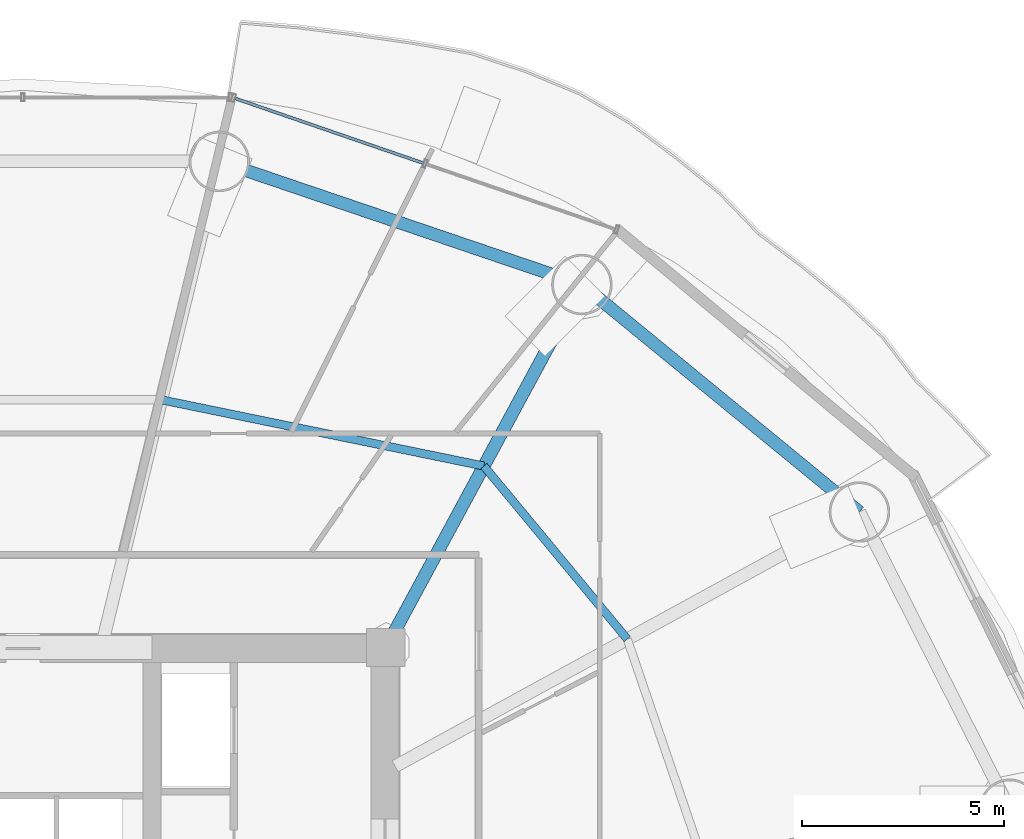
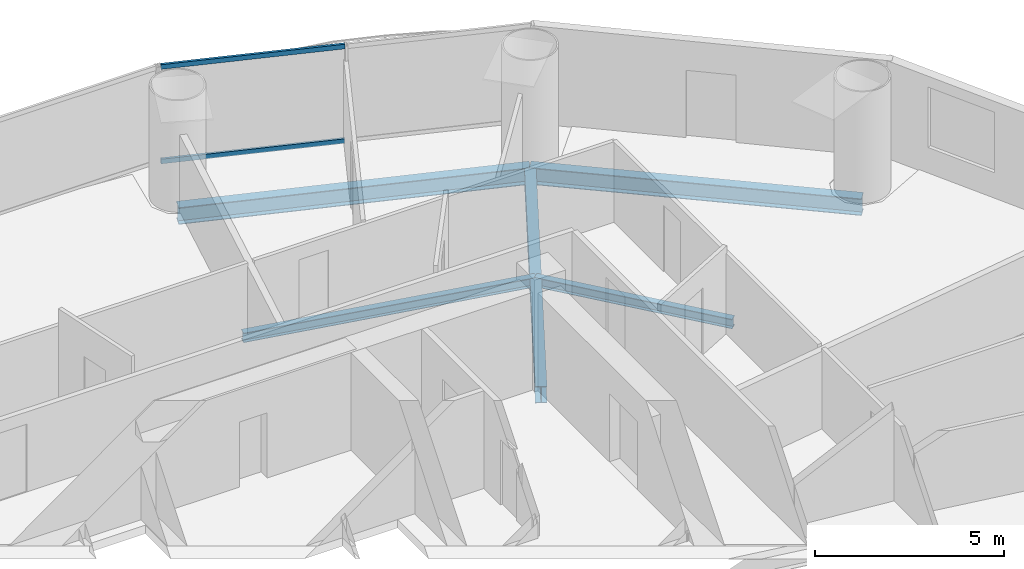
# One storey, part 19 of 29: 5 beams, 2 members, 1 element without a shape of its own.
"""IFC4 building model written with IfcOpenShell, lengths in metres."""

import ifcopenshell
import ifcopenshell.guid

model = None  # the IFC model being written
_history = None  # IfcOwnerHistory: only IFC2X3 demands one
_inside = {}  # id of a spatial element -> (the spatial element, [elements in it])
_under = {}  # id of a project, library or spatial element -> (it, [spatial elements below it])
_declared = {}  # id of a project -> (the project, [libraries it declares])
_typed = {}  # id of a type object -> (the type object, [elements of that type])
_made_of = {}  # id of a material, layer set ... -> (it, [elements and type objects made of it])


def new_model(schema):
    """Start an empty IFC model of exactly this schema.

    Asked for "IFC4X3", IfcOpenShell would pick the latest addendum, in which some entities
    have other attributes; the version numbers below select the first issue.
    IFC2X3 requires an IfcOwnerHistory on every rooted entity: one is made here for all.
    """
    global model, _history
    if schema == "IFC4X3":
        model = ifcopenshell.file(schema_version=(4, 3, 0, 0))
    else:
        model = ifcopenshell.file(schema=schema)
    _inside.clear()
    _under.clear()
    _declared.clear()
    _typed.clear()
    _made_of.clear()
    _history = None
    if model.schema == "IFC2X3":
        org = make("IfcOrganization", Name="unknown")
        user = make(
            "IfcPersonAndOrganization",
            ThePerson=make("IfcPerson", FamilyName="unknown"),
            TheOrganization=org,
        )
        app = make(
            "IfcApplication",
            ApplicationDeveloper=org,
            Version="unknown",
            ApplicationFullName="unknown",
            ApplicationIdentifier="unknown",
        )
        _history = make(
            "IfcOwnerHistory",
            OwningUser=user,
            OwningApplication=app,
            ChangeAction="ADDED",
            CreationDate=0,
        )
    return model


def make(cls, **values):
    """One entity of the class cls with the attributes given. An attribute that is None is left unset."""
    return model.create_entity(
        cls, **{name: value for name, value in values.items() if value is not None}
    )


def rooted(cls, **values):
    """An entity with a GlobalId (a new one), such as an element, a storey or a relation."""
    return make(cls, GlobalId=ifcopenshell.guid.new(), OwnerHistory=_history, **values)


def si_unit(unit_type, name, prefix=None):
    """IfcSIUnit, for example si_unit("LENGTHUNIT", "METRE", prefix="MILLI")."""
    return make("IfcSIUnit", UnitType=unit_type, Prefix=prefix, Name=name)


def assignment(units):
    """IfcUnitAssignment: the units of a project."""
    return None if units is None else make("IfcUnitAssignment", Units=units)


def point(xyz):
    """IfcCartesianPoint."""
    return None if xyz is None else make("IfcCartesianPoint", Coordinates=xyz)


def direction(xyz):
    """IfcDirection."""
    return None if xyz is None else make("IfcDirection", DirectionRatios=xyz)


def frame(location, z_axis=None, x_axis=None):
    """IfcAxis2Placement3D, a coordinate frame: its origin and axes. An axis left out is left unset."""
    return make(
        "IfcAxis2Placement3D",
        Location=point(location),
        Axis=direction(z_axis),
        RefDirection=direction(x_axis),
    )


def frame_2d(location, x_axis=None):
    """IfcAxis2Placement2D, a coordinate frame in the plane: its origin and x axis."""
    return make(
        "IfcAxis2Placement2D", Location=point(location), RefDirection=direction(x_axis)
    )


def origin():
    """The frame at (0, 0, 0) with its axes left unset."""
    return frame((0.0, 0.0, 0.0))


def origin_2d():
    """The frame at (0, 0) in the plane with its x axis left unset."""
    return frame_2d((0.0, 0.0))


def place(relative_to, where):
    """IfcLocalPlacement: puts the frame where relative to a parent placement (None: the world)."""
    return make(
        "IfcLocalPlacement", PlacementRelTo=relative_to, RelativePlacement=where
    )


def context(
    kind, dimensions, precision=None, world=None, true_north=None, identifier=None
):
    """IfcGeometricRepresentationContext, for example the 3D "Model" context."""
    return make(
        "IfcGeometricRepresentationContext",
        ContextIdentifier=identifier,
        ContextType=kind,
        CoordinateSpaceDimension=dimensions,
        Precision=precision,
        WorldCoordinateSystem=world,
        TrueNorth=true_north,
    )


def subcontext(parent, identifier, kind, view, scale=None):
    """IfcGeometricRepresentationSubContext, for example "Body" below "Model"."""
    return make(
        "IfcGeometricRepresentationSubContext",
        ContextIdentifier=identifier,
        ContextType=kind,
        ParentContext=parent,
        TargetScale=scale,
        TargetView=view,
    )


def project(units=None, contexts=None):
    """IfcProject with its units and contexts."""
    return rooted(
        "IfcProject",
        Name="project",
        RepresentationContexts=contexts,
        UnitsInContext=assignment(units),
    )


def spatial(cls, under=None, at=None, **own):
    """A site, building, storey or space (cls), placed at a placement, below another one or the project."""
    s = rooted(cls, ObjectPlacement=at, **own)
    if under is not None:
        _under.setdefault(under.id(), (under, []))[1].append(s)
    return s


def profile(cls, at=None, kind="AREA", **sizes):
    """A parametric profile (cls). Its sizes go by their IFC names, for example OverallWidth=200.0."""
    return make(cls, ProfileType=kind, Position=at, **sizes)


def hollow_rectangle(**sizes):
    """IfcRectangleHollowProfileDef."""
    return profile("IfcRectangleHollowProfileDef", **sizes)


def i_section(**sizes):
    """IfcIShapeProfileDef."""
    return profile("IfcIShapeProfileDef", **sizes)


def extrude(swept, where, along, depth):
    """IfcExtrudedAreaSolid: the profile swept, set in the frame where, extruded along a direction by depth."""
    return make(
        "IfcExtrudedAreaSolid",
        SweptArea=swept,
        Position=where,
        ExtrudedDirection=direction(along),
        Depth=depth,
    )


def shape(context_of_items, identifier, shape_type, items):
    """IfcShapeRepresentation: the items that make up one representation, for example the "Body"."""
    return make(
        "IfcShapeRepresentation",
        ContextOfItems=context_of_items,
        RepresentationIdentifier=identifier,
        RepresentationType=shape_type,
        Items=items,
    )


def source(mapping_origin, context_of_items, identifier, shape_type, items):
    """IfcRepresentationMap: a shape defined once, which mapped items show again and again."""
    return make(
        "IfcRepresentationMap",
        MappingOrigin=mapping_origin,
        MappedRepresentation=shape(context_of_items, identifier, shape_type, items),
    )


def transform(
    local_origin,
    x_axis=None,
    y_axis=None,
    z_axis=None,
    scale=None,
    scale2=None,
    scale3=None,
    uniform=True,
):
    """IfcCartesianTransformationOperator3D, or its non-uniform kind. x_axis, y_axis, z_axis: its Axis1, 2, 3."""
    if uniform:
        return make(
            "IfcCartesianTransformationOperator3D",
            Axis1=direction(x_axis),
            Axis2=direction(y_axis),
            LocalOrigin=point(local_origin),
            Scale=scale,
            Axis3=direction(z_axis),
        )
    return make(
        "IfcCartesianTransformationOperator3DnonUniform",
        Axis1=direction(x_axis),
        Axis2=direction(y_axis),
        LocalOrigin=point(local_origin),
        Scale=scale,
        Axis3=direction(z_axis),
        Scale2=scale2,
        Scale3=scale3,
    )


def mapped(mapping_source, mapping_target):
    """IfcMappedItem: shows the shape of a source again, moved by a transform."""
    return make(
        "IfcMappedItem", MappingSource=mapping_source, MappingTarget=mapping_target
    )


def material(Name=None, Category=None):
    """IfcMaterial."""
    return make("IfcMaterial", Name=Name, Category=Category)


def material_profile(
    of_material, cross_section, Name=None, Category=None, Priority=None
):
    """IfcMaterialProfile: a cross section and its material."""
    return make(
        "IfcMaterialProfile",
        Name=Name,
        Material=of_material,
        Profile=cross_section,
        Priority=Priority,
        Category=Category,
    )


def profile_set(profiles, Name=None, composite=None):
    """IfcMaterialProfileSet."""
    return make(
        "IfcMaterialProfileSet",
        Name=Name,
        MaterialProfiles=profiles,
        CompositeProfile=composite,
    )


def made_of(thing, what):
    """Note that an element or type object is made of a material, layer set ...; save() writes the relation."""
    if what is not None:
        _made_of.setdefault(what.id(), (what, []))[1].append(thing)
    return thing


def type_object(cls, material=None, **own):
    """A type object (cls), such as IfcWallType, which elements share."""
    return made_of(rooted(cls, **own), material)


def element(
    cls,
    number,
    at=None,
    inside=None,
    cuts=None,
    type_object=None,
    material=None,
    context=None,
    identifier="Body",
    shape_type=None,
    held_by="IfcProductDefinitionShape",
    body=None,
    shapes=None,
    **own,
):
    """One element of the class cls, such as IfcWall. Its Tag is "e" and its number.

    at: its placement. inside: the storey or other place that contains it. cuts: it is an
    opening in that element (IfcRelVoidsElement). A single representation is given by context,
    identifier, shape_type and body (its items); several are given by shapes. held_by: the class
    of the entity that holds the representations. save() writes the other relations.
    """
    e = rooted(cls, Tag="e%d" % number, ObjectPlacement=at, **own)
    if body is not None:
        shapes = [shape(context, identifier, shape_type, body)]
    if shapes is not None:
        e.Representation = make(held_by, Representations=shapes)
    if inside is not None:
        _inside.setdefault(inside.id(), (inside, []))[1].append(e)
    if cuts is not None:
        rooted(
            "IfcRelVoidsElement", RelatingBuildingElement=cuts, RelatedOpeningElement=e
        )
    if type_object is not None:
        _typed.setdefault(type_object.id(), (type_object, []))[1].append(e)
    return made_of(e, material)


def aggregate(whole, parts):
    """IfcRelAggregates: a whole, such as a stair, and the parts it consists of."""
    return rooted("IfcRelAggregates", RelatingObject=whole, RelatedObjects=parts)


def save(model, path):
    """Write the relations noted so far, then the file.

    IfcRelAggregates (storeys below a building ...), IfcRelContainedInSpatialStructure (elements
    in a storey), IfcRelDefinesByType, IfcRelAssociatesMaterial and IfcRelDeclares: one each for
    every whole, place, type object, material and project.
    """
    for whole, parts in _under.values():
        aggregate(whole, parts)
    for where, things in _inside.values():
        rooted(
            "IfcRelContainedInSpatialStructure",
            RelatedElements=things,
            RelatingStructure=where,
        )
    for kind, things in _typed.values():
        rooted("IfcRelDefinesByType", RelatedObjects=things, RelatingType=kind)
    for what, things in _made_of.values():
        rooted("IfcRelAssociatesMaterial", RelatedObjects=things, RelatingMaterial=what)
    for by, libraries in _declared.values():
        rooted("IfcRelDeclares", RelatingContext=by, RelatedDefinitions=libraries)
    model.write(path)


model = new_model("IFC4")

# Units and contexts
model_context = context("Model", 3, precision=1e-05, world=origin(), true_north=direction((-0.2419218956, 0.970295726276)))
body_context = subcontext(model_context, "Body", "Model", "MODEL_VIEW")
ifc_project = project(units=[si_unit("LENGTHUNIT", "METRE"), si_unit("AREAUNIT", "SQUARE_METRE"), si_unit("VOLUMEUNIT", "CUBIC_METRE"), si_unit("PLANEANGLEUNIT", "RADIAN"), si_unit("MASSUNIT", "GRAM", prefix="KILO")], contexts=[model_context])

# Site, building, storey
site_placement = place(None, origin())
site = spatial("IfcSite", under=ifc_project, at=site_placement, CompositionType="ELEMENT")
building_placement = place(site_placement, origin())
building = spatial("IfcBuilding", under=site, at=building_placement, Name="Cobrevalo Terracotta Tower", CompositionType="ELEMENT")
storey_placement = place(building_placement, frame((0.0, 0.0, 126.60009765625)))
storey = spatial("IfcBuildingStorey", under=building, at=storey_placement, Name="L33", CompositionType="ELEMENT", Elevation=126.60009765625)

# Beams
ifc_material_1 = material(Name="Steel S355", Category="steel")
ifc_material_profile_1 = material_profile(ifc_material_1, i_section(OverallWidth=0.31201171875, OverallDepth=0.54296875, WebThickness=0.0126953125, FlangeThickness=0.020263671875, at=origin_2d()), Name="W 530x150")
ifc_profile_set_1 = profile_set([ifc_material_profile_1], Name="Steel S355")
beam_type_1 = type_object("IfcBeamType", Name="Structural Beam W 530x150 (Steel S355)", PredefinedType="BEAM", material=ifc_profile_set_1)
beam_1_placement = place(storey_placement, frame((51.861572265625, 43.803466796875, -0.546630859375), z_axis=(-0.475128224431, -0.879916570107, 0.0), x_axis=(0.879916570107, -0.475128224431, 0.0)))
element("IfcBeam", 1, at=beam_1_placement, inside=storey, type_object=beam_type_1, Name="L33 radial floor girder 03", PredefinedType="BEAM", context=body_context, shape_type="SweptSolid", body=[
    extrude(i_section(OverallWidth=0.31201171875, OverallDepth=0.54296875, WebThickness=0.0126953125, FlangeThickness=0.020263671875, at=origin_2d()), origin(), (0.0, 0.0, 1.0), 10.232177734375),
])
ifc_material_profile_2 = material_profile(ifc_material_1, i_section(OverallWidth=0.2041015625, OverallDepth=0.305908203125, WebThickness=0.008544921875, FlangeThickness=0.0146484375, at=origin_2d()), Name="W 310x67")
ifc_profile_set_2 = profile_set([ifc_material_profile_2], Name="Steel S355")
beam_type_2 = type_object("IfcBeamType", Name="Structural Joist W 310x67 (Steel S355)", PredefinedType="JOIST", material=ifc_profile_set_2)
beam_2_placement = place(storey_placement, frame((52.987548828125, 35.00830078125, -0.427978515625), z_axis=(-0.6379592588, 0.77007011636, 0.0), x_axis=(-0.77007011636, -0.6379592588, 0.0)))
element("IfcBeam", 2, at=beam_2_placement, inside=storey, type_object=beam_type_2, Name="L33 circumferential secondary floor joist 02", PredefinedType="JOIST", context=body_context, shape_type="SweptSolid", body=[
    extrude(i_section(OverallWidth=0.2041015625, OverallDepth=0.305908203125, WebThickness=0.008544921875, FlangeThickness=0.0146484375, at=origin_2d()), origin(), (0.0, 0.0, 1.0), 5.575439453125),
])
beam_3_placement = place(storey_placement, frame((49.4306640625, 39.3017578125, -0.427978515625), z_axis=(-0.979574469315, 0.201081722357, 0.0), x_axis=(-0.201081722357, -0.979574469315, 0.0)))
element("IfcBeam", 3, at=beam_3_placement, inside=storey, type_object=beam_type_2, Name="L33 circumferential secondary floor joist 03", PredefinedType="JOIST", context=body_context, shape_type="SweptSolid", body=[
    extrude(i_section(OverallWidth=0.2041015625, OverallDepth=0.305908203125, WebThickness=0.008544921875, FlangeThickness=0.0146484375, at=origin_2d()), origin(), (0.0, 0.0, 1.0), 8.1650390625),
])
ifc_material_profile_3 = material_profile(ifc_material_1, i_section(OverallWidth=0.31201171875, OverallDepth=0.54296875, WebThickness=0.0126953125, FlangeThickness=0.020263671875, at=origin_2d()), Name="W 530x150")
ifc_profile_set_3 = profile_set([ifc_material_profile_3], Name="Steel S355")
beam_type_3 = type_object("IfcBeamType", Name="Structural Spandrel W 530x150 (Steel S355)", PredefinedType="SPANDREL", material=ifc_profile_set_3)
beam_4_placement = place(storey_placement, frame((58.7451171875, 38.161376953125, -0.546630859375), z_axis=(-0.773400923541, 0.633917196064, 0.0), x_axis=(-0.633917196064, -0.773400923541, 0.0)))
element("IfcBeam", 4, at=beam_4_placement, inside=storey, type_object=beam_type_3, Name="L33 perimeter ring spandrel 02", PredefinedType="SPANDREL", context=body_context, shape_type="SweptSolid", body=[
    extrude(i_section(OverallWidth=0.31201171875, OverallDepth=0.54296875, WebThickness=0.0126953125, FlangeThickness=0.020263671875, at=origin_2d()), origin(), (0.0, 0.0, 1.0), 8.900390625),
])
beam_5_placement = place(storey_placement, frame((51.861572265625, 43.803466796875, -0.546630859375), z_axis=(-0.946910528816, 0.32149720126, 0.0), x_axis=(-0.32149720126, -0.946910528816, 0.0)))
element("IfcBeam", 5, at=beam_5_placement, inside=storey, type_object=beam_type_3, Name="L33 perimeter ring spandrel 03", PredefinedType="SPANDREL", context=body_context, shape_type="SweptSolid", body=[
    extrude(i_section(OverallWidth=0.31201171875, OverallDepth=0.54296875, WebThickness=0.0126953125, FlangeThickness=0.020263671875, at=origin_2d()), origin(), (0.0, 0.0, 1.0), 9.498291015625),
])

# Curtain wall, members
ifc_material_2 = material(Name="Anodized aluminium", Category="aluminium")
curtain_wall_type = type_object("IfcCurtainWallType", Name="Lower-tower unitised acoustic low-E curtain wall CW-U1", PredefinedType="NOTDEFINED", material=ifc_material_2)
curtain_wall_placement = place(storey_placement, origin())
curtain_wall = element("IfcCurtainWall", 6, at=curtain_wall_placement, inside=storey, type_object=curtain_wall_type, Name="L33 curtain wall CW-L33-S03", PredefinedType="NOTDEFINED")
ifc_material_profile_4 = material_profile(ifc_material_2, hollow_rectangle(XDim=0.074951171875, YDim=0.14990234375, WallThickness=0.00439453125, at=origin_2d()), Name="CWT 75x150")
ifc_profile_set_4 = profile_set([ifc_material_profile_4], Name="Anodized aluminium")
member_type = type_object("IfcMemberType", Name="Tower unitised aluminium transom 75x150", PredefinedType="USERDEFINED", material=ifc_profile_set_4)
shared_shape = source(origin(), body_context, "Body", "SweptSolid", [
    extrude(hollow_rectangle(XDim=0.074951171875, YDim=0.14990234375, WallThickness=0.00439453125, at=origin_2d()), origin(), (0.0, 0.0, 1.0), 4.944580078125),
])
member_1_placement = place(storey_placement, frame((47.934814453125, 46.811279296875, 0.0498046875), z_axis=(-0.945597859971, 0.32533780478, 0.0), x_axis=(-0.32533780478, -0.945597859971, 0.0)))
member_1 = element("IfcMember", 7, at=member_1_placement, type_object=member_type, Name="CW-L33-S03 transom B02-T1", ObjectType="TRANSOM", PredefinedType="USERDEFINED", context=body_context, shape_type="MappedRepresentation", body=[
    mapped(shared_shape, transform((0.0, 0.0, 0.0), scale=1.0)),
])
member_2_placement = place(storey_placement, frame((47.934814453125, 46.811279296875, 3.099853515625), z_axis=(-0.945597859971, 0.32533780478, 0.0), x_axis=(-0.32533780478, -0.945597859971, 0.0)))
member_2 = element("IfcMember", 8, at=member_2_placement, type_object=member_type, Name="CW-L33-S03 transom B02-T2", ObjectType="TRANSOM", PredefinedType="USERDEFINED", context=body_context, shape_type="MappedRepresentation", body=[
    mapped(shared_shape, transform((0.0, 0.0, 0.0), scale=1.0)),
])
aggregate(curtain_wall, [member_1, member_2])

save(model, "model.ifc")
